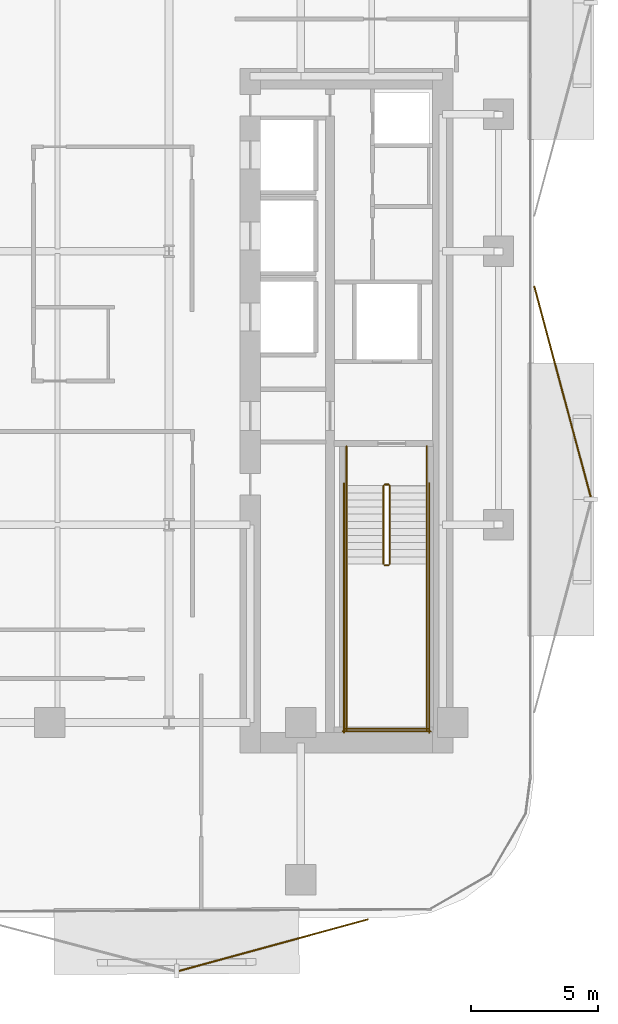
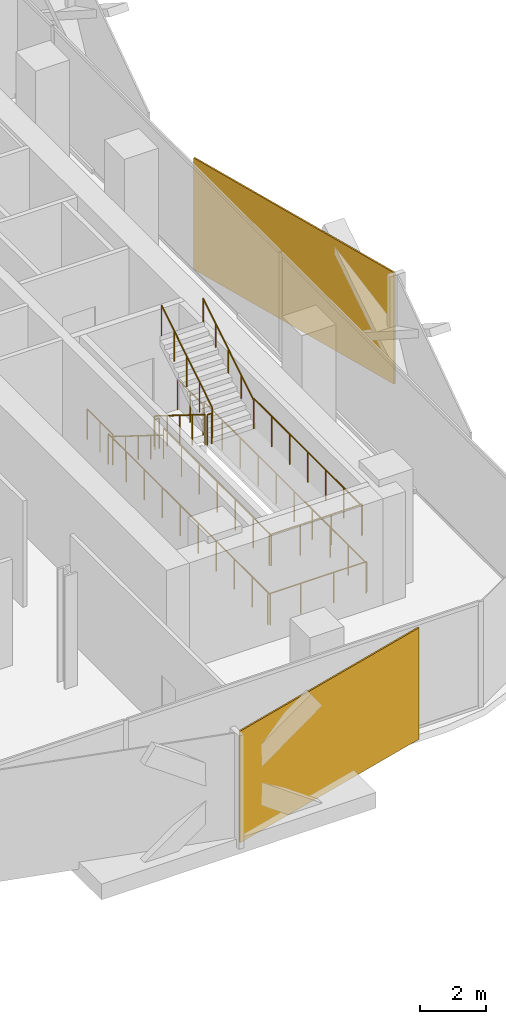
# One storey, part 13 of 15: 14 railings, 2 coverings.
"""IFC4 building model written with IfcOpenShell, lengths in metres."""

from ifc_helpers import new_model, si_unit, direction, frame, origin, origin_2d, place, context, subcontext, project, spatial, rectangle, circle, extrude, material, layer, layer_set, type_object, element, save


model = new_model("IFC4")

# Units and contexts
model_context = context("Model", 3, precision=1e-05, world=origin(), true_north=direction((0.0, 1.0)))
body_context = subcontext(model_context, "Body", "Model", "MODEL_VIEW")
ifc_project = project(units=[si_unit("LENGTHUNIT", "METRE"), si_unit("AREAUNIT", "SQUARE_METRE"), si_unit("VOLUMEUNIT", "CUBIC_METRE"), si_unit("PLANEANGLEUNIT", "RADIAN"), si_unit("MASSUNIT", "GRAM", prefix="KILO")], contexts=[model_context])

# Site, building, storey
site_placement = place(None, origin())
site = spatial("IfcSite", under=ifc_project, at=site_placement, CompositionType="ELEMENT")
building_placement = place(site_placement, origin())
building = spatial("IfcBuilding", under=site, at=building_placement, Name="Khairoan Windgate Tower", CompositionType="ELEMENT")
storey_placement = place(building_placement, frame((0.0, 0.0, 110.0)))
storey = spatial("IfcBuildingStorey", under=building, at=storey_placement, Name="L25", CompositionType="ELEMENT", Elevation=110.0)

# Coverings
ifc_material_1 = material(Name="Anodised Bronze Aluminium 6063-T6", Category="aluminium")
ifc_layer = layer(ifc_material_1, 0.054931640625, Name="Anodised Bronze Aluminium 6063-T6")
ifc_layer_set = layer_set([ifc_layer], Name="Anodised Bronze Aluminium 6063-T6")
covering_type = type_object("IfcCoveringType", Name="Perforated Bronze-Ceramic Folded Solar Screen Cladding BSC-1", PredefinedType="CLADDING", material=ifc_layer_set)
covering_1_placement = place(storey_placement, frame((13.326904296875, -27.384765625, -0.10009765625), z_axis=(0.0, 0.0, 1.0), x_axis=(-0.964649468762, -0.263536339841, 0.0)))
element("IfcCovering", 1, at=covering_1_placement, inside=storey, type_object=covering_type, Name="L25 Folded Bronze Solar Screen Facet 145L", PredefinedType="CLADDING", context=body_context, shape_type="SweptSolid", body=[
    extrude(rectangle(XDim=7.739013671875, YDim=0.054931640625, at=origin_2d()), origin(), (0.0, 0.0, 1.0), 4.139892578125),
])
covering_2_placement = place(storey_placement, frame((24.724609375, -5.542236328125, -0.10009765625), z_axis=(0.0, 0.0, 1.0), x_axis=(0.258819045103, -0.965925826289, 0.0)))
element("IfcCovering", 2, at=covering_2_placement, inside=storey, type_object=covering_type, Name="L25 Folded Bronze Solar Screen Facet 152L", PredefinedType="CLADDING", context=body_context, shape_type="SweptSolid", body=[
    extrude(rectangle(XDim=8.6201171875, YDim=0.054931640625, at=origin_2d()), origin(), (0.0, 0.0, 1.0), 4.139892578125),
])

# Railings
ifc_material_2 = material(Name="Anodised Bronze Aluminium 6063-T6", Category="aluminium")
railing_type_1 = type_object("IfcRailingType", Name="Stair Wall Handrail SHR-900", PredefinedType="HANDRAIL", material=ifc_material_2)
railing_1_placement = place(storey_placement, frame((16.199951171875, -9.260009765625, 0.175048828125)))
element("IfcRailing", 3, at=railing_1_placement, inside=storey, type_object=railing_type_1, Name="L25 ST1 stair handrail 1", PredefinedType="HANDRAIL", context=body_context, shape_type="SweptSolid", body=[
    extrude(circle(Radius=0.02392578125, at=origin_2d()), frame((0.0, 0.0, 0.8759765625), z_axis=(0.0, -0.847998304005, 0.529998940003), x_axis=(1.0, 0.0, 0.0)), (0.0, 0.0, 1.0), 3.632080078125),
    extrude(circle(Radius=0.02099609375, at=origin_2d()), origin(), (0.0, 0.0, 1.0), 0.851806640625),
    extrude(circle(Radius=0.02099609375, at=origin_2d()), frame((0.0, -0.77001953125, 0.481201171875)), (0.0, 0.0, 1.0), 0.851806640625),
    extrude(circle(Radius=0.02099609375, at=origin_2d()), frame((0.0, -1.5400390625, 0.96240234375)), (0.0, 0.0, 1.0), 0.851806640625),
    extrude(circle(Radius=0.02099609375, at=origin_2d()), frame((0.0, -2.31005859375, 1.44384765625)), (0.0, 0.0, 1.0), 0.851806640625),
    extrude(circle(Radius=0.02099609375, at=origin_2d()), frame((0.0, -3.080078125, 1.925048828125)), (0.0, 0.0, 1.0), 0.851806640625),
])
railing_2_placement = place(storey_placement, frame((19.3701171875, -12.340087890625, 2.27490234375)))
element("IfcRailing", 4, at=railing_2_placement, inside=storey, type_object=railing_type_1, Name="L25 ST1 stair handrail 2", PredefinedType="HANDRAIL", context=body_context, shape_type="SweptSolid", body=[
    extrude(circle(Radius=0.02392578125, at=origin_2d()), frame((0.0, 0.0, 0.8759765625), z_axis=(0.0, 0.847998304005, 0.529998940003), x_axis=(-1.0, 0.0, 0.0)), (0.0, 0.0, 1.0), 3.632080078125),
    extrude(circle(Radius=0.02099609375, at=origin_2d()), origin(), (0.0, 0.0, 1.0), 0.851806640625),
    extrude(circle(Radius=0.02099609375, at=origin_2d()), frame((0.0, 0.77001953125, 0.481201171875)), (0.0, 0.0, 1.0), 0.851806640625),
    extrude(circle(Radius=0.02099609375, at=origin_2d()), frame((0.0, 1.5400390625, 0.96240234375)), (0.0, 0.0, 1.0), 0.851806640625),
    extrude(circle(Radius=0.02099609375, at=origin_2d()), frame((0.0, 2.31005859375, 1.44384765625)), (0.0, 0.0, 1.0), 0.851806640625),
    extrude(circle(Radius=0.02099609375, at=origin_2d()), frame((0.0, 3.080078125, 1.925048828125)), (0.0, 0.0, 1.0), 0.851806640625),
])
ifc_material_3 = material(Name="Steel S355", Category="steel")
railing_type_2 = type_object("IfcRailingType", Name="Stairwell Safety Guardrail SGR-1150", PredefinedType="GUARDRAIL", material=ifc_material_3)
railing_3_placement = place(storey_placement, frame((17.659912109375, -9.260009765625, 0.175048828125)))
element("IfcRailing", 5, at=railing_3_placement, inside=storey, type_object=railing_type_2, Name="L25 ST1 stair guard 1", PredefinedType="GUARDRAIL", context=body_context, shape_type="SweptSolid", body=[
    extrude(circle(Radius=0.02392578125, at=origin_2d()), frame((0.0, 0.0, 1.1259765625), z_axis=(0.0, -0.847998304005, 0.529998940003), x_axis=(1.0, 0.0, 0.0)), (0.0, 0.0, 1.0), 3.632080078125),
    extrude(circle(Radius=0.02099609375, at=origin_2d()), origin(), (0.0, 0.0, 1.0), 1.101806640625),
    extrude(circle(Radius=0.02099609375, at=origin_2d()), frame((0.0, -0.77001953125, 0.481201171875)), (0.0, 0.0, 1.0), 1.101806640625),
    extrude(circle(Radius=0.02099609375, at=origin_2d()), frame((0.0, -1.5400390625, 0.96240234375)), (0.0, 0.0, 1.0), 1.101806640625),
    extrude(circle(Radius=0.02099609375, at=origin_2d()), frame((0.0, -2.31005859375, 1.44384765625)), (0.0, 0.0, 1.0), 1.101806640625),
    extrude(circle(Radius=0.02099609375, at=origin_2d()), frame((0.0, -3.080078125, 1.925048828125)), (0.0, 0.0, 1.0), 1.101806640625),
])
railing_4_placement = place(storey_placement, frame((17.7099609375, -12.389892578125, 2.10009765625)))
element("IfcRailing", 6, at=railing_4_placement, inside=storey, type_object=railing_type_2, Name="L25 ST1 stair guard 2", PredefinedType="GUARDRAIL", context=body_context, shape_type="SweptSolid", body=[
    extrude(circle(Radius=0.02392578125, at=origin_2d()), frame((0.0, 0.0, 1.1259765625), z_axis=(1.0, 0.0, 0.0), x_axis=(0.0, 1.0, 0.0)), (0.0, 0.0, 1.0), 0.150146484375),
    extrude(circle(Radius=0.02099609375, at=origin_2d()), origin(), (0.0, 0.0, 1.0), 1.101806640625),
    extrude(circle(Radius=0.02099609375, at=origin_2d()), frame((0.150146484375, 0.0, 0.0)), (0.0, 0.0, 1.0), 1.101806640625),
])
for number, where, name in (
    (7, (16.199951171875, -12.340087890625, 2.10009765625), "L25 ST1 stair guard 3"),
    (8, (19.3701171875, -12.340087890625, 2.10009765625), "L25 ST1 stair guard 4"),
):
    element("IfcRailing", number, at=place(storey_placement, frame(where)), inside=storey, type_object=railing_type_2, Name=name, PredefinedType="GUARDRAIL", context=body_context, shape_type="SweptSolid", body=[
        extrude(circle(Radius=0.02392578125, at=origin_2d()), frame((0.0, 0.0, 1.1259765625), z_axis=(0.0, -1.0, 0.0), x_axis=(1.0, 0.0, 0.0)), (0.0, 0.0, 1.0), 6.559814453125),
        extrude(circle(Radius=0.02099609375, at=origin_2d()), origin(), (0.0, 0.0, 1.0), 1.101806640625),
        extrude(circle(Radius=0.02099609375, at=origin_2d()), frame((0.0, -1.09326171875, 0.0)), (0.0, 0.0, 1.0), 1.101806640625),
        extrude(circle(Radius=0.02099609375, at=origin_2d()), frame((0.0, -2.1865234375, 0.0)), (0.0, 0.0, 1.0), 1.101806640625),
        extrude(circle(Radius=0.02099609375, at=origin_2d()), frame((0.0, -3.27978515625, 0.0)), (0.0, 0.0, 1.0), 1.101806640625),
        extrude(circle(Radius=0.02099609375, at=origin_2d()), frame((0.0, -4.373291015625, 0.0)), (0.0, 0.0, 1.0), 1.101806640625),
        extrude(circle(Radius=0.02099609375, at=origin_2d()), frame((0.0, -5.466552734375, 0.0)), (0.0, 0.0, 1.0), 1.101806640625),
        extrude(circle(Radius=0.02099609375, at=origin_2d()), frame((0.0, -6.559814453125, 0.0)), (0.0, 0.0, 1.0), 1.101806640625),
    ])
railing_5_placement = place(storey_placement, frame((16.14990234375, -18.85009765625, 2.10009765625)))
element("IfcRailing", 9, at=railing_5_placement, inside=storey, type_object=railing_type_2, Name="L25 ST1 stair guard 5", PredefinedType="GUARDRAIL", context=body_context, shape_type="SweptSolid", body=[
    extrude(circle(Radius=0.02392578125, at=origin_2d()), frame((0.0, 0.0, 1.1259765625), z_axis=(1.0, 0.0, 0.0), x_axis=(0.0, 1.0, 0.0)), (0.0, 0.0, 1.0), 3.27001953125),
    extrude(circle(Radius=0.02099609375, at=origin_2d()), origin(), (0.0, 0.0, 1.0), 1.101806640625),
    extrude(circle(Radius=0.02099609375, at=origin_2d()), frame((1.090087890625, 0.0, 0.0)), (0.0, 0.0, 1.0), 1.101806640625),
    extrude(circle(Radius=0.02099609375, at=origin_2d()), frame((2.179931640625, 0.0, 0.0)), (0.0, 0.0, 1.0), 1.101806640625),
    extrude(circle(Radius=0.02099609375, at=origin_2d()), frame((3.27001953125, 0.0, 0.0)), (0.0, 0.0, 1.0), 1.101806640625),
])
railing_6_placement = place(storey_placement, frame((17.909912109375, -12.340087890625, 2.27490234375)))
element("IfcRailing", 10, at=railing_6_placement, inside=storey, type_object=railing_type_2, Name="L25 ST1 stair guard 6", PredefinedType="GUARDRAIL", context=body_context, shape_type="SweptSolid", body=[
    extrude(circle(Radius=0.02392578125, at=origin_2d()), frame((0.0, 0.0, 1.1259765625), z_axis=(0.0, 0.847998304005, 0.529998940003), x_axis=(-1.0, 0.0, 0.0)), (0.0, 0.0, 1.0), 3.632080078125),
    extrude(circle(Radius=0.02099609375, at=origin_2d()), origin(), (0.0, 0.0, 1.0), 1.101806640625),
    extrude(circle(Radius=0.02099609375, at=origin_2d()), frame((0.0, 0.77001953125, 0.481201171875)), (0.0, 0.0, 1.0), 1.101806640625),
    extrude(circle(Radius=0.02099609375, at=origin_2d()), frame((0.0, 1.5400390625, 0.96240234375)), (0.0, 0.0, 1.0), 1.101806640625),
    extrude(circle(Radius=0.02099609375, at=origin_2d()), frame((0.0, 2.31005859375, 1.44384765625)), (0.0, 0.0, 1.0), 1.101806640625),
    extrude(circle(Radius=0.02099609375, at=origin_2d()), frame((0.0, 3.080078125, 1.925048828125)), (0.0, 0.0, 1.0), 1.101806640625),
])
railing_7_placement = place(storey_placement, frame((17.7099609375, -9.2099609375, 0.0)))
element("IfcRailing", 11, at=railing_7_placement, inside=storey, type_object=railing_type_2, Name="L25 ST1 stair guard 7", PredefinedType="GUARDRAIL", context=body_context, shape_type="SweptSolid", body=[
    extrude(circle(Radius=0.02392578125, at=origin_2d()), frame((0.0, 0.0, 1.1259765625), z_axis=(1.0, 0.0, 0.0), x_axis=(0.0, 1.0, 0.0)), (0.0, 0.0, 1.0), 0.150146484375),
    extrude(circle(Radius=0.02099609375, at=origin_2d()), origin(), (0.0, 0.0, 1.0), 1.101806640625),
    extrude(circle(Radius=0.02099609375, at=origin_2d()), frame((0.150146484375, 0.0, 0.0)), (0.0, 0.0, 1.0), 1.101806640625),
])
for number, where, name in (
    (12, (16.199951171875, -7.699951171875, 0.0), "L25 ST1 stair guard 8"),
    (13, (19.3701171875, -7.699951171875, 0.0), "L25 ST1 stair guard 9"),
):
    element("IfcRailing", number, at=place(storey_placement, frame(where)), inside=storey, type_object=railing_type_2, Name=name, PredefinedType="GUARDRAIL", context=body_context, shape_type="SweptSolid", body=[
        extrude(circle(Radius=0.02392578125, at=origin_2d()), frame((0.0, 0.0, 1.1259765625), z_axis=(0.0, -1.0, 0.0), x_axis=(1.0, 0.0, 0.0)), (0.0, 0.0, 1.0), 1.56005859375),
        extrude(circle(Radius=0.02099609375, at=origin_2d()), origin(), (0.0, 0.0, 1.0), 1.101806640625),
        extrude(circle(Radius=0.02099609375, at=origin_2d()), frame((0.0, -0.780029296875, 0.0)), (0.0, 0.0, 1.0), 1.101806640625),
        extrude(circle(Radius=0.02099609375, at=origin_2d()), frame((0.0, -1.56005859375, 0.0)), (0.0, 0.0, 1.0), 1.101806640625),
    ])
for number, where, name in (
    (14, (16.10009765625, -9.159912109375, 0.0), "L25 ST1 stair guard 10"),
    (15, (19.469970703125, -9.159912109375, 0.0), "L25 ST1 stair guard 11"),
):
    element("IfcRailing", number, at=place(storey_placement, frame(where)), inside=storey, type_object=railing_type_2, Name=name, PredefinedType="GUARDRAIL", context=body_context, shape_type="SweptSolid", body=[
        extrude(circle(Radius=0.02392578125, at=origin_2d()), frame((0.0, 0.0, 1.1259765625), z_axis=(0.0, -1.0, 0.0), x_axis=(1.0, 0.0, 0.0)), (0.0, 0.0, 1.0), 9.840087890625),
        extrude(circle(Radius=0.02099609375, at=origin_2d()), origin(), (0.0, 0.0, 1.0), 1.101806640625),
        extrude(circle(Radius=0.02099609375, at=origin_2d()), frame((0.0, -1.09326171875, 0.0)), (0.0, 0.0, 1.0), 1.101806640625),
        extrude(circle(Radius=0.02099609375, at=origin_2d()), frame((0.0, -2.186767578125, 0.0)), (0.0, 0.0, 1.0), 1.101806640625),
        extrude(circle(Radius=0.02099609375, at=origin_2d()), frame((0.0, -3.280029296875, 0.0)), (0.0, 0.0, 1.0), 1.101806640625),
        extrude(circle(Radius=0.02099609375, at=origin_2d()), frame((0.0, -4.373291015625, 0.0)), (0.0, 0.0, 1.0), 1.101806640625),
        extrude(circle(Radius=0.02099609375, at=origin_2d()), frame((0.0, -5.466796875, 0.0)), (0.0, 0.0, 1.0), 1.101806640625),
        extrude(circle(Radius=0.02099609375, at=origin_2d()), frame((0.0, -6.56005859375, 0.0)), (0.0, 0.0, 1.0), 1.101806640625),
        extrude(circle(Radius=0.02099609375, at=origin_2d()), frame((0.0, -7.6533203125, 0.0)), (0.0, 0.0, 1.0), 1.101806640625),
        extrude(circle(Radius=0.02099609375, at=origin_2d()), frame((0.0, -8.746826171875, 0.0)), (0.0, 0.0, 1.0), 1.101806640625),
        extrude(circle(Radius=0.02099609375, at=origin_2d()), frame((0.0, -9.840087890625, 0.0)), (0.0, 0.0, 1.0), 1.101806640625),
    ])
railing_8_placement = place(storey_placement, frame((16.050048828125, -18.949951171875, 0.0)))
element("IfcRailing", 16, at=railing_8_placement, inside=storey, type_object=railing_type_2, Name="L25 ST1 stair guard 12", PredefinedType="GUARDRAIL", context=body_context, shape_type="SweptSolid", body=[
    extrude(circle(Radius=0.02392578125, at=origin_2d()), frame((0.0, 0.0, 1.1259765625), z_axis=(1.0, 0.0, 0.0), x_axis=(0.0, 1.0, 0.0)), (0.0, 0.0, 1.0), 3.469970703125),
    extrude(circle(Radius=0.02099609375, at=origin_2d()), origin(), (0.0, 0.0, 1.0), 1.101806640625),
    extrude(circle(Radius=0.02099609375, at=origin_2d()), frame((1.15673828125, 0.0, 0.0)), (0.0, 0.0, 1.0), 1.101806640625),
    extrude(circle(Radius=0.02099609375, at=origin_2d()), frame((2.313232421875, 0.0, 0.0)), (0.0, 0.0, 1.0), 1.101806640625),
    extrude(circle(Radius=0.02099609375, at=origin_2d()), frame((3.469970703125, 0.0, 0.0)), (0.0, 0.0, 1.0), 1.101806640625),
])

save(model, "model.ifc")
